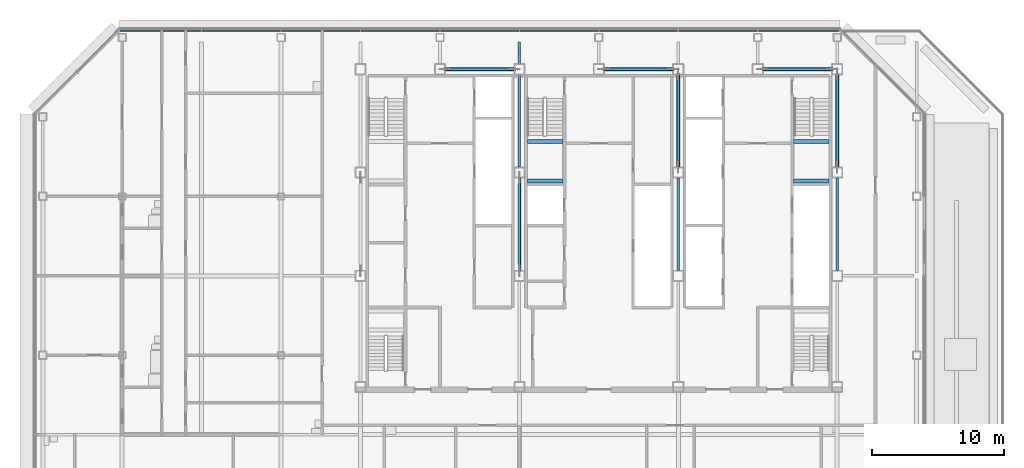
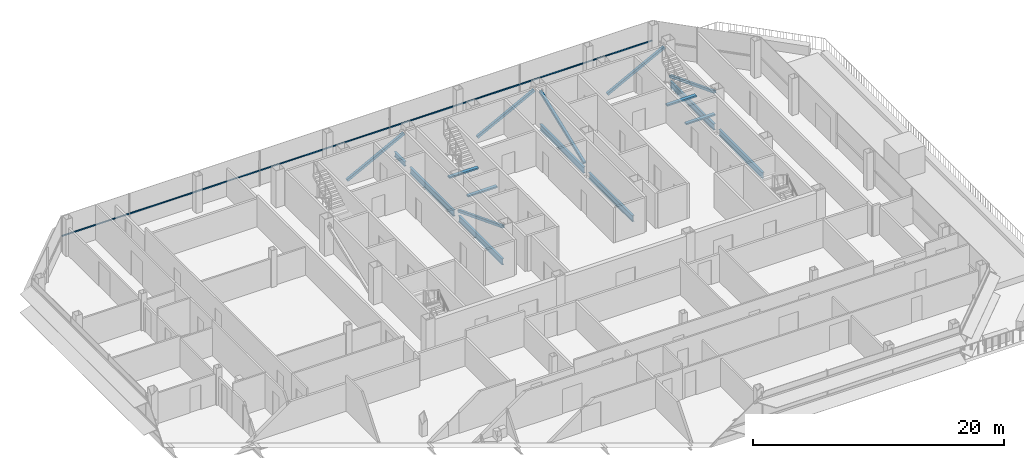
# One storey, part 13 of 28: 11 beams, 7 members, 1 element without a shape of its own.
"""IFC4 building model written with IfcOpenShell, lengths in metres."""

from ifc_helpers import new_model, si_unit, direction, frame, origin, origin_2d, place, context, subcontext, project, spatial, rectangle, hollow_rectangle, i_section, extrude, material, material_profile, profile_set, type_object, element, aggregate, save


model = new_model("IFC4")

# Units and contexts
model_context = context("Model", 3, precision=1e-05, world=origin(), true_north=direction((0.0, 1.0)))
body_context = subcontext(model_context, "Body", "Model", "MODEL_VIEW")
ifc_project = project(units=[si_unit("LENGTHUNIT", "METRE"), si_unit("AREAUNIT", "SQUARE_METRE"), si_unit("VOLUMEUNIT", "CUBIC_METRE"), si_unit("PLANEANGLEUNIT", "RADIAN"), si_unit("MASSUNIT", "GRAM", prefix="KILO")], contexts=[model_context])

# Site, building, storey
site_placement = place(None, origin())
site = spatial("IfcSite", under=ifc_project, at=site_placement, CompositionType="ELEMENT")
building_placement = place(site_placement, origin())
building = spatial("IfcBuilding", under=site, at=building_placement, Name="Sorahane Residences", CompositionType="ELEMENT")
storey_placement = place(building_placement, frame((0.0, 0.0, 290.800048828125)))
storey = spatial("IfcBuildingStorey", under=building, at=storey_placement, Name="L68", CompositionType="ELEMENT", Elevation=290.800048828125)

# Members
ifc_material_1 = material(Name="Steel Q355B", Category="steel")
ifc_material_profile_1 = material_profile(ifc_material_1, hollow_rectangle(XDim=0.25, YDim=0.25, WallThickness=0.013916015625, InnerFilletRadius=0.007080078125, OuterFilletRadius=0.02099609375, at=origin_2d()), Name="RHS 250x250x14")
ifc_profile_set_1 = profile_set([ifc_material_profile_1], Name="Steel Q355B")
member_type_1 = type_object("IfcMemberType", Name="Core brace RHS 250x250x14 Q355B", PredefinedType="BRACE", material=ifc_profile_set_1)
for number, where, z_axis, x_axis, name in (
    (1, (12.365234375, 45.60009765625, 0.106689453125), (0.886099769192, 0.0, 0.46349455125), (0.0, 1.0, 0.0), "Core brace L68 y45.6-2"),
    (2, (24.365234375, 45.60009765625, 0.106689453125), (0.886099769192, 0.0, 0.46349455125), (0.0, 1.0, 0.0), "Core brace L68 y45.6-4"),
    (3, (36.365234375, 45.60009765625, 0.106689453125), (0.886099769192, 0.0, 0.46349455125), (0.0, 1.0, 0.0), "Core brace L68 y45.6-6"),
):
    element("IfcMember", number, at=place(storey_placement, frame(where, z_axis=z_axis, x_axis=x_axis)), inside=storey, type_object=member_type_1, Name=name, PredefinedType="BRACE", context=body_context, shape_type="SweptSolid", body=[
        extrude(hollow_rectangle(XDim=0.25, YDim=0.25, WallThickness=0.013916015625, InnerFilletRadius=0.007080078125, OuterFilletRadius=0.02099609375, at=origin_2d()), origin(), (0.0, 0.0, 1.0), 5.94677734375),
    ])
for number, where, z_axis, x_axis, name in (
    (4, (42.0, 45.22705078125, 0.114501953125), (0.0, -0.932108763247, 0.362178482902), (1.0, 0.0, 0.0), "Core brace L68 x42-3"),
    (5, (18.0, 37.42724609375, 0.114501953125), (0.0, -0.932112994653, 0.362167592697), (1.0, 0.0, 0.0), "Core brace L68 x18-1"),
    (6, (30.0, 38.1728515625, 0.114501953125), (0.0, 0.932108763247, 0.362178482902), (-1.0, 0.0, 0.0), "Core brace L68 x30-2"),
):
    element("IfcMember", number, at=place(storey_placement, frame(where, z_axis=z_axis, x_axis=x_axis)), inside=storey, type_object=member_type_1, Name=name, PredefinedType="BRACE", context=body_context, shape_type="SweptSolid", body=[
        extrude(hollow_rectangle(XDim=0.25, YDim=0.25, WallThickness=0.013916015625, InnerFilletRadius=0.007080078125, OuterFilletRadius=0.02099609375, at=origin_2d()), origin(), (0.0, 0.0, 1.0), 7.568115234375),
    ])

# Curtain wall, member
ifc_material_2 = material(Name="Dark low-e glass and black anodised aluminium", Category="aluminium")
curtain_wall_type = type_object("IfcCurtainWallType", Name="Curtain wall CW-1 Typical unitised wall", PredefinedType="NOTDEFINED", material=ifc_material_2)
curtain_wall_placement = place(storey_placement, origin())
curtain_wall = element("IfcCurtainWall", 7, at=curtain_wall_placement, inside=storey, type_object=curtain_wall_type, Name="CW-1 curtain wall L68 N1", PredefinedType="NOTDEFINED")
ifc_material_3 = material(Name="Black anodised aluminium", Category="aluminium")
ifc_material_profile_2 = material_profile(ifc_material_3, rectangle(XDim=0.10009765625, YDim=0.06005859375, at=origin_2d()), Name="Curtain wall transom CW-1 black anodised aluminium 60x100")
ifc_profile_set_2 = profile_set([ifc_material_profile_2], Name="Black anodised aluminium")
member_type_2 = type_object("IfcMemberType", Name="Curtain wall transom CW-1 black anodised aluminium 60x100", PredefinedType="USERDEFINED", material=ifc_profile_set_2)
member_placement = place(storey_placement, frame((42.198486328125, 48.530029296875, 1.5), z_axis=(-1.0, 0.0, 0.0), x_axis=(0.0, -1.0, 0.0)))
member = element("IfcMember", 8, at=member_placement, type_object=member_type_2, Name="CW-1 transom L68 N1", ObjectType="TRANSOM", PredefinedType="USERDEFINED", context=body_context, shape_type="SweptSolid", body=[
    extrude(rectangle(XDim=0.10009765625, YDim=0.06005859375, at=origin_2d()), origin(), (0.0, 0.0, 1.0), 54.39697265625),
])
aggregate(curtain_wall, [member])

# Beams
ifc_material_4 = material(Name="Concrete C40", Category="concrete")
ifc_material_profile_3 = material_profile(ifc_material_4, rectangle(XDim=0.300048828125, YDim=0.139892578125, at=origin_2d()), Name="300x140")
ifc_profile_set_3 = profile_set([ifc_material_profile_3], Name="Concrete C40")
beam_type_1 = type_object("IfcBeamType", Name="RC landing beam 300 x 140 Concrete C40", PredefinedType="BEAM", material=ifc_profile_set_3)
for number, where, z_axis, x_axis, name in (
    (9, (38.699951171875, 37.14990234375, 1.530029296875), (1.0, 0.0, 0.0), (0.0, 1.0, 0.0), "Landing beam"),
    (10, (38.699951171875, 40.14990234375, 1.530029296875), (1.0, 0.0, 0.0), (0.0, 1.0, 0.0), "Landing beam"),
    (11, (18.60009765625, 37.14990234375, 1.530029296875), (1.0, 0.0, 0.0), (0.0, 1.0, 0.0), "Landing beam"),
    (12, (18.60009765625, 40.14990234375, 1.530029296875), (1.0, 0.0, 0.0), (0.0, 1.0, 0.0), "Landing beam"),
):
    element("IfcBeam", number, at=place(storey_placement, frame(where, z_axis=z_axis, x_axis=x_axis)), inside=storey, type_object=beam_type_1, Name=name, PredefinedType="BEAM", context=body_context, shape_type="SweptSolid", body=[
        extrude(rectangle(XDim=0.300048828125, YDim=0.139892578125, at=origin_2d()), origin(), (0.0, 0.0, 1.0), 2.699951171875),
    ])
ifc_material_5 = material(Name="Steel Q355B", Category="steel")
ifc_material_profile_4 = material_profile(ifc_material_5, i_section(OverallWidth=0.199951171875, OverallDepth=0.449951171875, WebThickness=0.009033203125, FlangeThickness=0.013916015625, FilletRadius=0.02001953125, at=origin_2d()), Name="HN 450x200x9x14")
ifc_profile_set_4 = profile_set([ifc_material_profile_4], Name="Steel Q355B")
beam_type_2 = type_object("IfcBeamType", Name="Steel floor beam HN 450x200x9x14 Q355B", PredefinedType="BEAM", material=ifc_profile_set_4)
beam_placement = place(storey_placement, frame((18.0, 46.0, -0.525146484375), z_axis=(0.0, 1.0, 0.0), x_axis=(-1.0, 0.0, 0.0)))
element("IfcBeam", 13, at=beam_placement, inside=storey, type_object=beam_type_2, Name="Beam L68 031", PredefinedType="BEAM", context=body_context, shape_type="SweptSolid", body=[
    extrude(i_section(OverallWidth=0.199951171875, OverallDepth=0.449951171875, WebThickness=0.009033203125, FlangeThickness=0.013916015625, FilletRadius=0.02001953125, at=origin_2d()), origin(), (0.0, 0.0, 1.0), 1.675048828125),
])
ifc_material_6 = material(Name="Steel Q355B", Category="steel")
ifc_material_profile_5 = material_profile(ifc_material_6, i_section(OverallWidth=0.199951171875, OverallDepth=0.60009765625, WebThickness=0.010986328125, FlangeThickness=0.01708984375, FilletRadius=0.02392578125, at=origin_2d()), Name="HN 600x200x11x17")
ifc_profile_set_5 = profile_set([ifc_material_profile_5], Name="Steel Q355B")
beam_type_3 = type_object("IfcBeamType", Name="Steel floor beam HN 600x200x11x17 Q355B", PredefinedType="BEAM", material=ifc_profile_set_5)
for number, where, z_axis, x_axis, name in (
    (14, (18.0, 30.39990234375, -0.60009765625), (0.0, 1.0, 0.0), (-1.0, 0.0, 0.0), "Beam L68 029"),
    (15, (18.0, 38.199951171875, -0.60009765625), (0.0, 1.0, 0.0), (-1.0, 0.0, 0.0), "Beam L68 030"),
    (16, (30.0, 30.39990234375, -0.60009765625), (0.0, 1.0, 0.0), (-1.0, 0.0, 0.0), "Beam L68 039"),
    (17, (30.0, 38.199951171875, -0.60009765625), (0.0, 1.0, 0.0), (-1.0, 0.0, 0.0), "Beam L68 040"),
    (18, (42.0, 30.39990234375, -0.60009765625), (0.0, 1.0, 0.0), (-1.0, 0.0, 0.0), "Beam L68 049"),
    (19, (42.0, 38.199951171875, -0.60009765625), (0.0, 1.0, 0.0), (-1.0, 0.0, 0.0), "Beam L68 050"),
):
    element("IfcBeam", number, at=place(storey_placement, frame(where, z_axis=z_axis, x_axis=x_axis)), inside=storey, type_object=beam_type_3, Name=name, PredefinedType="BEAM", context=body_context, shape_type="SweptSolid", body=[
        extrude(i_section(OverallWidth=0.199951171875, OverallDepth=0.60009765625, WebThickness=0.010986328125, FlangeThickness=0.01708984375, FilletRadius=0.02392578125, at=origin_2d()), origin(), (0.0, 0.0, 1.0), 7.0),
    ])

save(model, "model.ifc")
